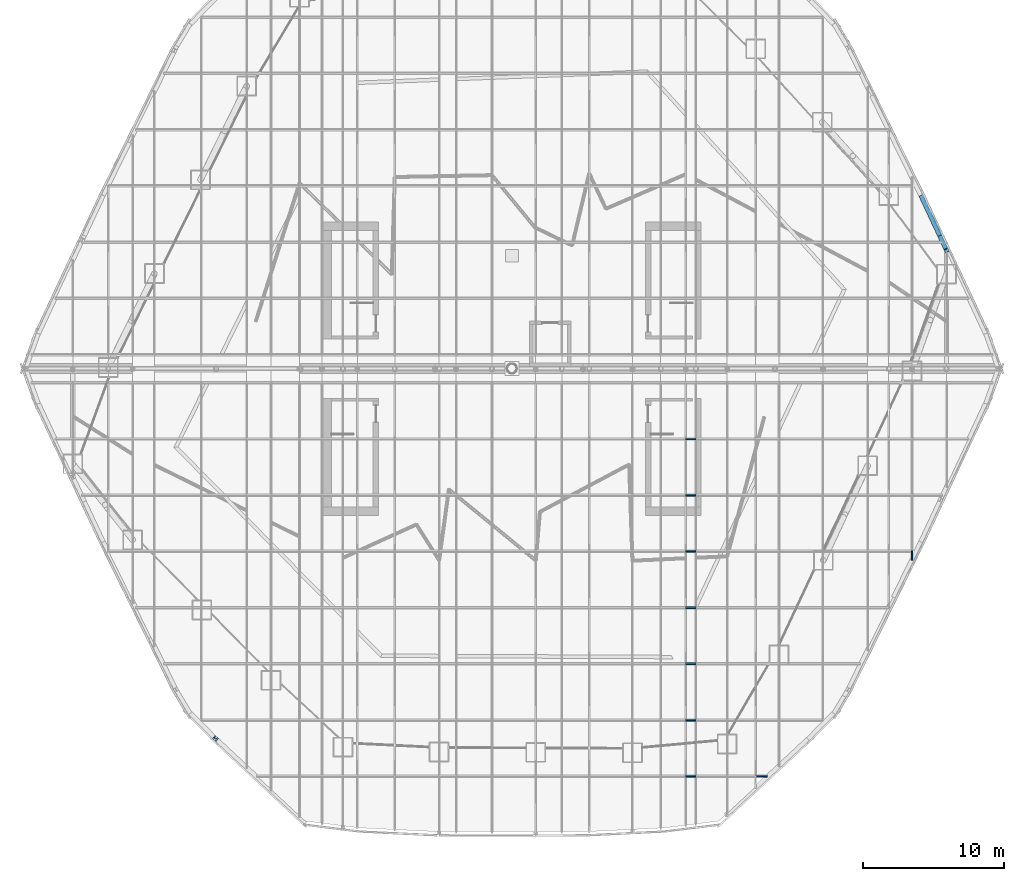
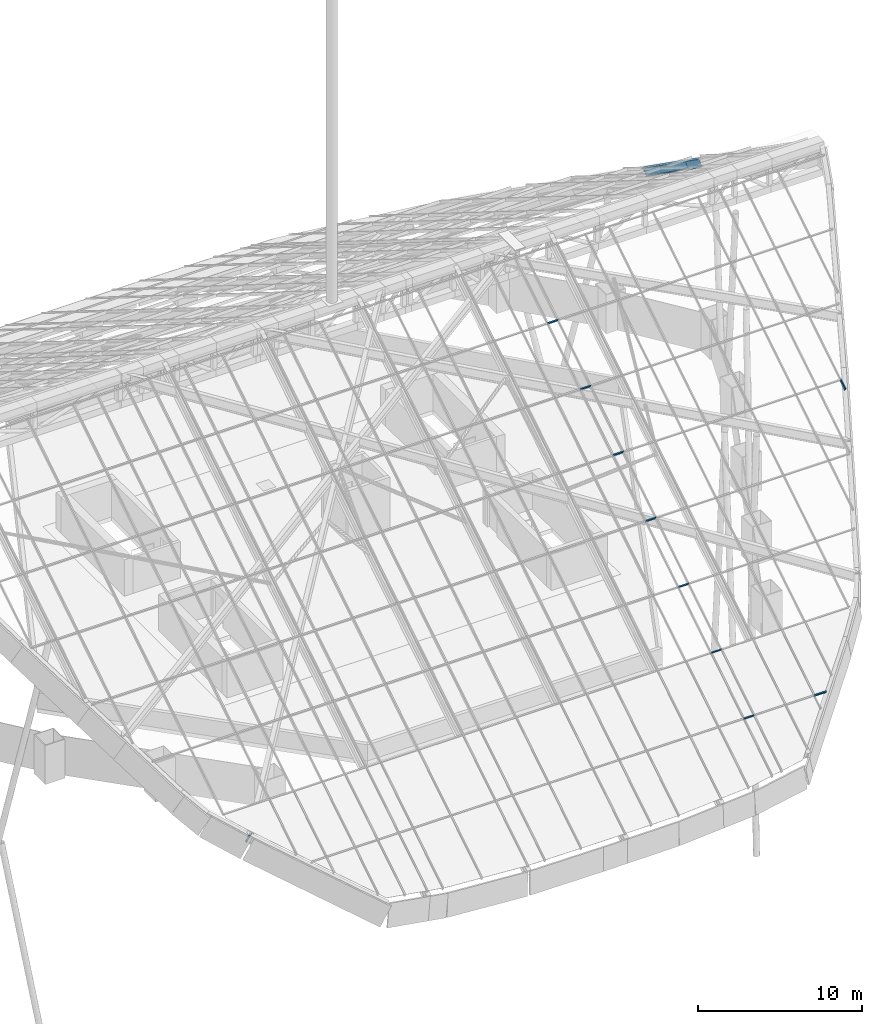
# One storey, part 24 of 38: 12 members, 9 elements without a shape of their own.
"""IFC4 building model written with IfcOpenShell, lengths in metres."""

from ifc_helpers import new_model, si_unit, direction, frame, origin, origin_2d, place, context, subcontext, project, spatial, rectangle, i_section, extrude, material, layer, layer_set, material_profile, profile_set, type_object, element, aggregate, save


model = new_model("IFC4")

# Units and contexts
model_context = context("Model", 3, precision=1e-05, world=origin(), true_north=direction((0.0, 1.0)))
body_context = subcontext(model_context, "Body", "Model", "MODEL_VIEW")
ifc_project = project(units=[si_unit("LENGTHUNIT", "METRE"), si_unit("AREAUNIT", "SQUARE_METRE"), si_unit("VOLUMEUNIT", "CUBIC_METRE"), si_unit("PLANEANGLEUNIT", "RADIAN"), si_unit("MASSUNIT", "GRAM", prefix="KILO")], contexts=[model_context])

# Site, building, storey
site_placement = place(None, origin())
site = spatial("IfcSite", under=ifc_project, at=site_placement, CompositionType="ELEMENT")
building_placement = place(site_placement, origin())
building = spatial("IfcBuilding", under=site, at=building_placement, Name="Dongbaek Canopy Tower", CompositionType="ELEMENT")
storey_placement = place(building_placement, frame((0.0, 0.0, 375.800048828125)))
storey = spatial("IfcBuildingStorey", under=building, at=storey_placement, Name="Roof", CompositionType="ELEMENT", Elevation=375.800048828125)

# Curtain wall, member
ifc_material_1 = material(Name="Aluminium 6063-T6 pale anodised", Category="aluminium")
ifc_layer = layer(ifc_material_1, 0.199951171875)
ifc_layer_set = layer_set([ifc_layer], Name="CW-6 canopy glazing curtain wall")
curtain_wall_type = type_object("IfcCurtainWallType", Name="CW-6 canopy glazing curtain wall", PredefinedType="NOTDEFINED", material=ifc_layer_set)
curtain_wall_1_placement = place(storey_placement, origin())
curtain_wall_1 = element("IfcCurtainWall", 1, at=curtain_wall_1_placement, inside=storey, type_object=curtain_wall_type, Name="CW-6 canopy glazing south 29.4", PredefinedType="NOTDEFINED")
ifc_material_2 = material(Name="Aluminium 6063-T6 pale anodised", Category="aluminium")
ifc_material_profile_1 = material_profile(ifc_material_2, rectangle(XDim=0.080078125, YDim=0.199951171875, at=origin_2d()), Name="CW-6 mullion 80 x 200")
ifc_profile_set_1 = profile_set([ifc_material_profile_1], Name="Aluminium 6063-T6 pale anodised")
member_type_1 = type_object("IfcMemberType", Name="CW-6 mullion 80 x 200", PredefinedType="MULLION", material=ifc_profile_set_1)
member_1_placement = place(storey_placement, frame((28.35107421875, -12.958740234375, 10.626220703125), z_axis=(0.0, -0.847918502316, -0.530126601323), x_axis=(1.0, 0.0, 0.0)))
member_1 = element("IfcMember", 2, at=member_1_placement, type_object=member_type_1, Name="CW-6 mullion S29.4.28.4", PredefinedType="MULLION", context=body_context, shape_type="SweptSolid", body=[
    extrude(rectangle(XDim=0.080078125, YDim=0.199951171875, at=origin_2d()), origin(), (0.0, 0.0, 1.0), 0.6875),
])
aggregate(curtain_wall_1, [member_1])

curtain_wall_2_placement = place(storey_placement, origin())
curtain_wall_2 = element("IfcCurtainWall", 3, at=curtain_wall_2_placement, inside=storey, type_object=curtain_wall_type, Name="CW-6 canopy glazing south 22.1", PredefinedType="NOTDEFINED")
ifc_material_3 = material(Name="Aluminium 6063-T6 pale anodised", Category="aluminium")
ifc_material_profile_2 = material_profile(ifc_material_3, rectangle(XDim=0.080078125, YDim=0.199951171875, at=origin_2d()), Name="CW-6 transom 80 x 200")
ifc_profile_set_2 = profile_set([ifc_material_profile_2], Name="Aluminium 6063-T6 pale anodised")
member_type_2 = type_object("IfcMemberType", Name="CW-6 transom 80 x 200", PredefinedType="USERDEFINED", material=ifc_profile_set_2)
member_2_placement = place(storey_placement, frame((12.31396484375, -4.986328125, 15.60791015625), z_axis=(1.0, 0.0, 0.0), x_axis=(0.0, 0.848048096156, 0.529919264233)))
member_2 = element("IfcMember", 4, at=member_2_placement, type_object=member_type_2, Name="CW-6 transom S22.1.2", ObjectType="TRANSOM", PredefinedType="USERDEFINED", context=body_context, shape_type="SweptSolid", body=[
    extrude(rectangle(XDim=0.080078125, YDim=0.199951171875, at=origin_2d()), origin(), (0.0, 0.0, 1.0), 0.721435546875),
])
aggregate(curtain_wall_2, [member_2])

curtain_wall_3_placement = place(storey_placement, origin())
curtain_wall_3 = element("IfcCurtainWall", 5, at=curtain_wall_3_placement, inside=storey, type_object=curtain_wall_type, Name="CW-6 canopy glazing south 22.2", PredefinedType="NOTDEFINED")
member_3_placement = place(storey_placement, frame((12.31396484375, -8.972412109375, 13.116943359375), z_axis=(1.0, 0.0, 0.0), x_axis=(0.0, 0.848048096156, 0.529919264233)))
member_3 = element("IfcMember", 6, at=member_3_placement, type_object=member_type_2, Name="CW-6 transom S22.2.3", ObjectType="TRANSOM", PredefinedType="USERDEFINED", context=body_context, shape_type="SweptSolid", body=[
    extrude(rectangle(XDim=0.080078125, YDim=0.199951171875, at=origin_2d()), origin(), (0.0, 0.0, 1.0), 0.721435546875),
])
aggregate(curtain_wall_3, [member_3])

curtain_wall_4_placement = place(storey_placement, origin())
curtain_wall_4 = element("IfcCurtainWall", 7, at=curtain_wall_4_placement, inside=storey, type_object=curtain_wall_type, Name="CW-6 canopy glazing south 22.3", PredefinedType="NOTDEFINED")
member_4_placement = place(storey_placement, frame((12.31396484375, -12.958740234375, 10.626220703125), z_axis=(1.0, 0.0, 0.0), x_axis=(0.0, 0.848048096156, 0.529919264233)))
member_4 = element("IfcMember", 8, at=member_4_placement, type_object=member_type_2, Name="CW-6 transom S22.3.4", ObjectType="TRANSOM", PredefinedType="USERDEFINED", context=body_context, shape_type="SweptSolid", body=[
    extrude(rectangle(XDim=0.080078125, YDim=0.199951171875, at=origin_2d()), origin(), (0.0, 0.0, 1.0), 0.721435546875),
])
aggregate(curtain_wall_4, [member_4])

curtain_wall_5_placement = place(storey_placement, origin())
curtain_wall_5 = element("IfcCurtainWall", 9, at=curtain_wall_5_placement, inside=storey, type_object=curtain_wall_type, Name="CW-6 canopy glazing south 22.4", PredefinedType="NOTDEFINED")
member_5_placement = place(storey_placement, frame((12.31396484375, -16.94482421875, 8.13525390625), z_axis=(1.0, 0.0, 0.0), x_axis=(0.0, 0.848048096156, 0.529919264233)))
member_5 = element("IfcMember", 10, at=member_5_placement, type_object=member_type_2, Name="CW-6 transom S22.4.5", ObjectType="TRANSOM", PredefinedType="USERDEFINED", context=body_context, shape_type="SweptSolid", body=[
    extrude(rectangle(XDim=0.080078125, YDim=0.199951171875, at=origin_2d()), origin(), (0.0, 0.0, 1.0), 0.721435546875),
])
aggregate(curtain_wall_5, [member_5])

curtain_wall_6_placement = place(storey_placement, origin())
curtain_wall_6 = element("IfcCurtainWall", 11, at=curtain_wall_6_placement, inside=storey, type_object=curtain_wall_type, Name="CW-6 canopy glazing south 22.5", PredefinedType="NOTDEFINED")
member_6_placement = place(storey_placement, frame((12.31396484375, -20.93115234375, 5.64453125), z_axis=(1.0, 0.0, 0.0), x_axis=(0.0, 0.848048096156, 0.529919264233)))
member_6 = element("IfcMember", 12, at=member_6_placement, type_object=member_type_2, Name="CW-6 transom S22.5.6", ObjectType="TRANSOM", PredefinedType="USERDEFINED", context=body_context, shape_type="SweptSolid", body=[
    extrude(rectangle(XDim=0.080078125, YDim=0.199951171875, at=origin_2d()), origin(), (0.0, 0.0, 1.0), 0.721435546875),
])
aggregate(curtain_wall_6, [member_6])

curtain_wall_7_placement = place(storey_placement, origin())
curtain_wall_7 = element("IfcCurtainWall", 13, at=curtain_wall_7_placement, inside=storey, type_object=curtain_wall_type, Name="CW-6 canopy glazing south 22.6", PredefinedType="NOTDEFINED")
member_7_placement = place(storey_placement, frame((12.31396484375, -24.917236328125, 3.153564453125), z_axis=(1.0, 0.0, 0.0), x_axis=(0.0, 0.848048096156, 0.529919264233)))
member_7 = element("IfcMember", 14, at=member_7_placement, type_object=member_type_2, Name="CW-6 transom S22.6.7", ObjectType="TRANSOM", PredefinedType="USERDEFINED", context=body_context, shape_type="SweptSolid", body=[
    extrude(rectangle(XDim=0.080078125, YDim=0.199951171875, at=origin_2d()), origin(), (0.0, 0.0, 1.0), 0.721435546875),
])
aggregate(curtain_wall_7, [member_7])

curtain_wall_8_placement = place(storey_placement, origin())
curtain_wall_8 = element("IfcCurtainWall", 15, at=curtain_wall_8_placement, inside=storey, type_object=curtain_wall_type, Name="CW-6 canopy glazing south 22.7", PredefinedType="NOTDEFINED")
member_8_placement = place(storey_placement, frame((12.31396484375, -28.903564453125, 0.662841796875), z_axis=(1.0, 0.0, 0.0), x_axis=(0.0, 0.848048096156, 0.529919264233)))
member_8 = element("IfcMember", 16, at=member_8_placement, type_object=member_type_2, Name="CW-6 transom S22.7.8", ObjectType="TRANSOM", PredefinedType="USERDEFINED", context=body_context, shape_type="SweptSolid", body=[
    extrude(rectangle(XDim=0.080078125, YDim=0.199951171875, at=origin_2d()), origin(), (0.0, 0.0, 1.0), 0.721435546875),
])
aggregate(curtain_wall_8, [member_8])

curtain_wall_9_placement = place(storey_placement, origin())
curtain_wall_9 = element("IfcCurtainWall", 17, at=curtain_wall_9_placement, inside=storey, type_object=curtain_wall_type, Name="CW-6 canopy glazing south 25.7", PredefinedType="NOTDEFINED")
member_9_placement = place(storey_placement, frame((17.27587890625, -28.903564453125, 0.662841796875), z_axis=(1.0, 0.0, 0.0), x_axis=(0.0, 0.848048096156, 0.529919264233)))
member_9 = element("IfcMember", 18, at=member_9_placement, type_object=member_type_2, Name="CW-6 transom S25.7.8", ObjectType="TRANSOM", PredefinedType="USERDEFINED", context=body_context, shape_type="SweptSolid", body=[
    extrude(rectangle(XDim=0.080078125, YDim=0.199951171875, at=origin_2d()), origin(), (0.0, 0.0, 1.0), 0.8505859375),
])
aggregate(curtain_wall_9, [member_9])

# Members
ifc_material_4 = material(Name="Steel S355", Category="steel")
ifc_material_profile_3 = material_profile(ifc_material_4, i_section(OverallWidth=0.300048828125, OverallDepth=0.587890625, WebThickness=0.011962890625, FlangeThickness=0.02001953125, FilletRadius=0.028076171875, at=origin_2d()), Name="EAVES BEAM H 588x300x12x20 Steel S355")
ifc_profile_set_3 = profile_set([ifc_material_profile_3], Name="Steel S355")
member_type_3 = type_object("IfcMemberType", Name="EAVES BEAM H 588x300x12x20 Steel S355", PredefinedType="MEMBER", material=ifc_profile_set_3)
member_10_placement = place(storey_placement, frame((-21.057373046875, -26.177978515625, 1.89404296875), z_axis=(0.675341185245, -0.624297956128, -0.39264022398), x_axis=(0.678811877156, 0.734312219313, 0.0)))
element("IfcMember", 19, at=member_10_placement, inside=storey, type_object=member_type_3, Name="EAVE:08", PredefinedType="MEMBER", context=body_context, shape_type="SweptSolid", body=[
    extrude(i_section(OverallWidth=0.300048828125, OverallDepth=0.587890625, WebThickness=0.011962890625, FlangeThickness=0.02001953125, FilletRadius=0.028076171875, at=origin_2d()), origin(), (0.0, 0.0, 1.0), 0.124267578125),
])
member_11_placement = place(storey_placement, frame((30.804931640625, 8.37158203125, 13.0205078125), z_axis=(-0.368933616544, 0.788223654523, -0.492535741884), x_axis=(-0.905699992633, -0.423919241536, 0.0)))
element("IfcMember", 20, at=member_11_placement, inside=storey, type_object=member_type_3, Name="EAVE:32", PredefinedType="MEMBER", context=body_context, shape_type="SweptSolid", body=[
    extrude(i_section(OverallWidth=0.300048828125, OverallDepth=0.587890625, WebThickness=0.011962890625, FlangeThickness=0.02001953125, FilletRadius=0.028076171875, at=origin_2d()), origin(), (0.0, 0.0, 1.0), 1.17333984375),
])
member_12_placement = place(storey_placement, frame((30.3720703125, 9.29638671875, 12.442626953125), z_axis=(-0.369135575933, 0.788154337803, -0.492495346561), x_axis=(-0.905596557434, -0.424140159811, 0.0)))
element("IfcMember", 21, at=member_12_placement, inside=storey, type_object=member_type_3, Name="EAVE:33", PredefinedType="MEMBER", context=body_context, shape_type="SweptSolid", body=[
    extrude(i_section(OverallWidth=0.300048828125, OverallDepth=0.587890625, WebThickness=0.011962890625, FlangeThickness=0.02001953125, FilletRadius=0.028076171875, at=origin_2d()), origin(), (0.0, 0.0, 1.0), 3.621826171875),
])

save(model, "model.ifc")
